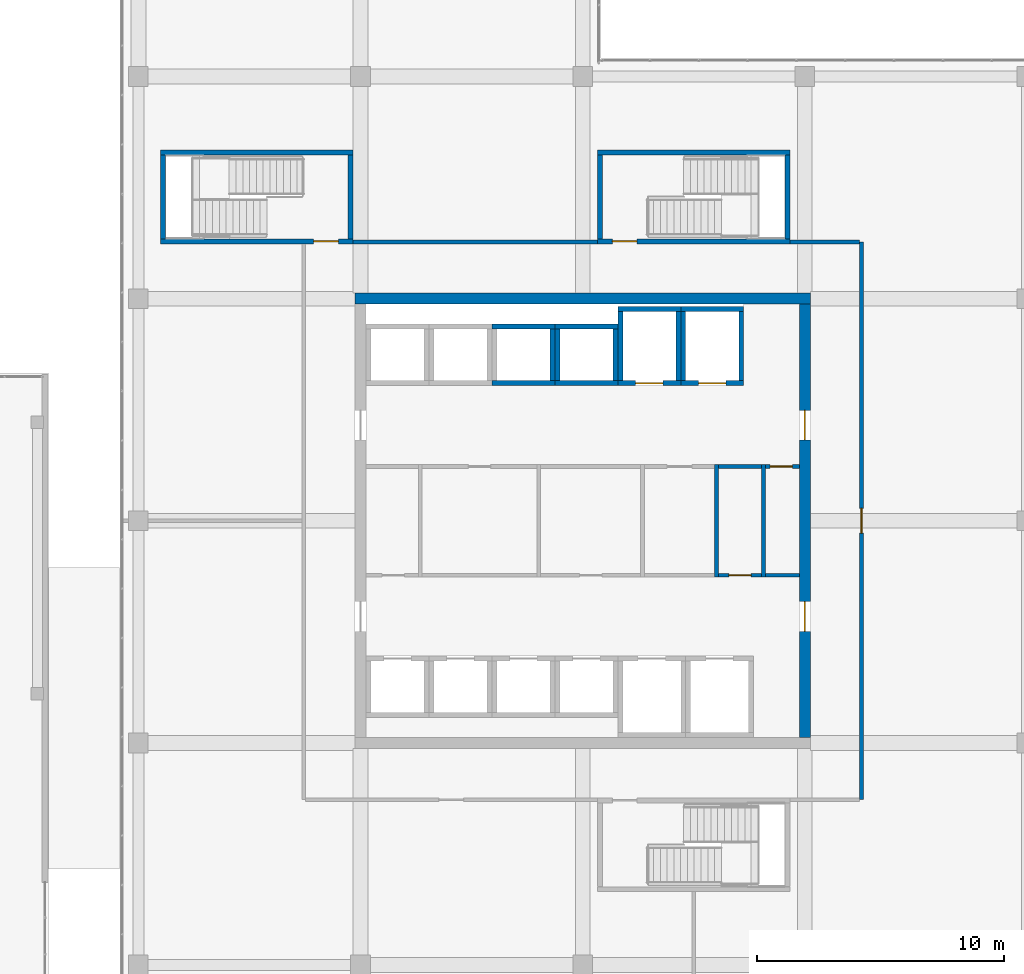
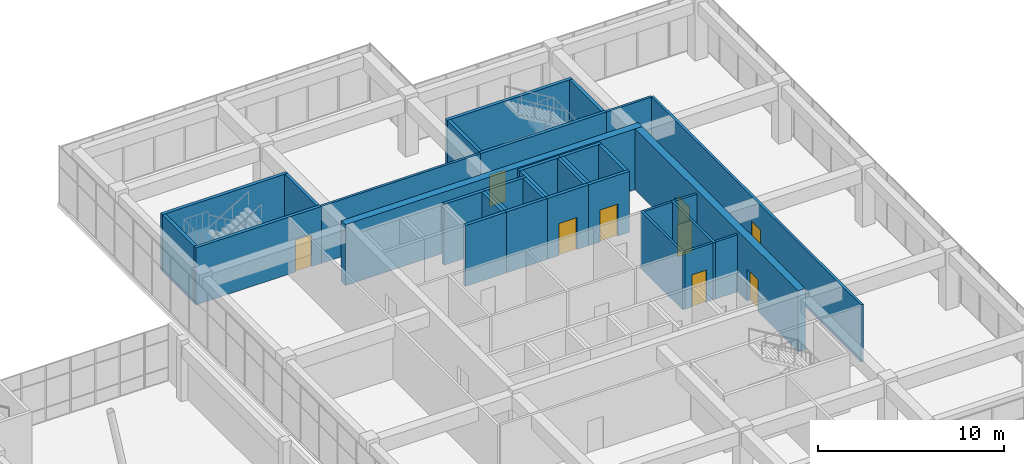
# One storey, part 57 of 66: 34 walls, 9 doors, 9 openings.
"""IFC4 building model written with IfcOpenShell, lengths in metres."""

from ifc_helpers import new_model, si_unit, direction, frame, frame_2d, origin, place, context, subcontext, project, spatial, rectangle, extrude, material, layer, layer_set, type_object, element, fill, save


model = new_model("IFC4")

# Units and contexts
model_context = context("Model", 3, precision=1e-05, world=origin(), true_north=direction((0.0, 1.0)))
body_context = subcontext(model_context, "Body", "Model", "MODEL_VIEW")
ifc_project = project(units=[si_unit("LENGTHUNIT", "METRE"), si_unit("AREAUNIT", "SQUARE_METRE"), si_unit("VOLUMEUNIT", "CUBIC_METRE"), si_unit("PLANEANGLEUNIT", "RADIAN"), si_unit("MASSUNIT", "GRAM", prefix="KILO")], contexts=[model_context])

# Site, building, storey
site_placement = place(None, origin())
site = spatial("IfcSite", under=ifc_project, at=site_placement, CompositionType="ELEMENT")
building_placement = place(site_placement, origin())
building = spatial("IfcBuilding", under=site, at=building_placement, Name="Tuart Plaza Theatre", CompositionType="ELEMENT")
storey_placement = place(building_placement, frame((0.0, 0.0, 5.5)))
storey = spatial("IfcBuildingStorey", under=building, at=storey_placement, Name="L01", CompositionType="ELEMENT", Elevation=5.5)

# Walls
ifc_material_1 = material(Name="Masonry block", Category="masonry")
ifc_layer_1 = layer(ifc_material_1, 0.14990234375)
ifc_layer_set_1 = layer_set([ifc_layer_1], Name="PARTITION BLK150 MASONRYB FRL -/120/120")
wall_type_1 = type_object("IfcWallType", Name="PARTITION BLK150 MASONRYB FRL -/120/120", PredefinedType="PARTITIONING", material=ifc_layer_set_1)
for number, where, z_axis, x_axis, name in (
    (1, (137.425048828125, 71.72509765625, 0.0), (0.0, 0.0, 1.0), (0.0, 1.0, 0.0), "P591"),
    (2, (139.324951171875, 71.72509765625, 0.0), (0.0, 0.0, 1.0), (0.0, 1.0, 0.0), "P594"),
):
    element("IfcWall", number, at=place(storey_placement, frame(where, z_axis=z_axis, x_axis=x_axis)), inside=storey, type_object=wall_type_1, Name=name, PredefinedType="PARTITIONING", context=body_context, shape_type="SweptSolid", body=[
        extrude(rectangle(XDim=4.5498046875, YDim=0.14990234375, at=frame_2d((2.27490234375, 0.0))), origin(), (0.0, 0.0, 1.0), 3.75),
    ])

# Wall, opening, door
wall_1_placement = place(storey_placement, frame((137.5, 71.800048828125, 0.0), z_axis=(0.0, 0.0, 1.0), x_axis=(1.0, 0.0, 0.0)))
wall_1 = element("IfcWall", 3, at=wall_1_placement, inside=storey, type_object=wall_type_1, Name="P595", PredefinedType="PARTITIONING", context=body_context, shape_type="SweptSolid", body=[
    extrude(rectangle(XDim=1.75, YDim=0.14990234375, at=frame_2d((0.875, 0.0))), origin(), (0.0, 0.0, 1.0), 3.75),
])
opening_1_placement = place(wall_1_placement, frame((0.425048828125, 0.0, 0.0)))
opening_1 = element("IfcOpeningElement", 4, at=opening_1_placement, cuts=wall_1, Name="Opening L01-058", PredefinedType="OPENING", context=body_context, shape_type="SweptSolid", body=[
    extrude(rectangle(XDim=0.89990234375, YDim=2.10009765625, at=frame_2d((0.449951171875, 1.050048828125))), frame((0.0, 0.0849609375, 0.0), z_axis=(0.0, -1.0, 0.0), x_axis=(1.0, 0.0, 0.0)), (0.0, 0.0, 1.0), 0.169921875),
])
ifc_material_2 = material(Name="Steel Grade 300", Category="steel")
door_type_1 = type_object("IfcDoorType", Name="DOOR 900x2100 steel single swing FRL -/120/30", OperationType="SINGLE_SWING_LEFT", PredefinedType="DOOR", material=ifc_material_2)
door_1_placement = place(opening_1_placement, origin())
door_1 = element("IfcDoor", 5, at=door_1_placement, inside=storey, type_object=door_type_1, Name="L01-058", OperationType="SINGLE_SWING_LEFT", OverallHeight=2.10009765625, OverallWidth=0.89990234375, PredefinedType="DOOR", context=body_context, shape_type="SweptSolid", body=[
    extrude(rectangle(XDim=0.89990234375, YDim=2.10009765625, at=frame_2d((0.449951171875, 1.050048828125))), frame((0.0, 0.02490234375, 0.0), z_axis=(0.0, -1.0, 0.0), x_axis=(1.0, 0.0, 0.0)), (0.0, 0.0, 1.0), 0.050048828125),
])
fill(opening_1, door_1)

# Walls
wall_2_placement = place(storey_placement, frame((137.5, 76.199951171875, 0.0), z_axis=(0.0, 0.0, 1.0), x_axis=(1.0, 0.0, 0.0)))
element("IfcWall", 6, at=wall_2_placement, inside=storey, type_object=wall_type_1, Name="P596", PredefinedType="PARTITIONING", context=body_context, shape_type="SweptSolid", body=[
    extrude(rectangle(XDim=1.75, YDim=0.14990234375, at=frame_2d((0.875, 0.0))), origin(), (0.0, 0.0, 1.0), 3.75),
])
wall_3_placement = place(storey_placement, frame((139.39990234375, 71.800048828125, 0.0), z_axis=(0.0, 0.0, 1.0), x_axis=(1.0, 0.0, 0.0)))
element("IfcWall", 7, at=wall_3_placement, inside=storey, type_object=wall_type_1, Name="P597", PredefinedType="PARTITIONING", context=body_context, shape_type="SweptSolid", body=[
    extrude(rectangle(XDim=1.375, YDim=0.14990234375, at=frame_2d((0.6875, 0.0))), origin(), (0.0, 0.0, 1.0), 3.75),
])

# Wall, opening, door
wall_4_placement = place(storey_placement, frame((139.39990234375, 76.199951171875, 0.0), z_axis=(0.0, 0.0, 1.0), x_axis=(1.0, 0.0, 0.0)))
wall_4 = element("IfcWall", 8, at=wall_4_placement, inside=storey, type_object=wall_type_1, Name="P598", PredefinedType="PARTITIONING", context=body_context, shape_type="SweptSolid", body=[
    extrude(rectangle(XDim=1.375, YDim=0.14990234375, at=frame_2d((0.6875, 0.0))), origin(), (0.0, 0.0, 1.0), 3.75),
])
opening_2_placement = place(wall_4_placement, frame((0.199951171875, 0.0, 0.0)))
opening_2 = element("IfcOpeningElement", 9, at=opening_2_placement, cuts=wall_4, Name="Opening L01-059", PredefinedType="OPENING", context=body_context, shape_type="SweptSolid", body=[
    extrude(rectangle(XDim=0.89990234375, YDim=2.10009765625, at=frame_2d((0.449951171875, 1.050048828125))), frame((0.0, 0.0849609375, 0.0), z_axis=(0.0, -1.0, 0.0), x_axis=(1.0, 0.0, 0.0)), (0.0, 0.0, 1.0), 0.169921875),
])
door_2_placement = place(opening_2_placement, frame((0.89990234375, 0.0, 0.0), z_axis=(0.0, 0.0, 1.0), x_axis=(-1.0, 0.0, 0.0)))
door_2 = element("IfcDoor", 10, at=door_2_placement, inside=storey, type_object=door_type_1, Name="L01-059", OperationType="SINGLE_SWING_LEFT", OverallHeight=2.10009765625, OverallWidth=0.89990234375, PredefinedType="DOOR", context=body_context, shape_type="SweptSolid", body=[
    extrude(rectangle(XDim=0.89990234375, YDim=2.10009765625, at=frame_2d((0.449951171875, 1.050048828125))), frame((0.0, 0.02490234375, 0.0), z_axis=(0.0, -1.0, 0.0), x_axis=(1.0, 0.0, 0.0)), (0.0, 0.0, 1.0), 0.050048828125),
])
fill(opening_2, door_2)

# Walls
ifc_material_3 = material(Name="Masonry block", Category="masonry")
ifc_layer_2 = layer(ifc_material_3, 0.14990234375)
ifc_layer_set_2 = layer_set([ifc_layer_2], Name="PARTITION BLK150 MASONRYB FRL 120/-/-")
wall_type_2 = type_object("IfcWallType", Name="PARTITION BLK150 MASONRYB FRL 120/-/-", PredefinedType="PARTITIONING", material=ifc_layer_set_2)
wall_5_placement = place(storey_placement, frame((122.699951171875, 85.300048828125, 0.0), z_axis=(0.0, 0.0, 1.0), x_axis=(1.0, 0.0, 0.0)))
element("IfcWall", 11, at=wall_5_placement, inside=storey, type_object=wall_type_2, Name="P602", PredefinedType="PARTITIONING", context=body_context, shape_type="SweptSolid", body=[
    extrude(rectangle(XDim=9.900146484375, YDim=0.14990234375, at=frame_2d((4.9501953125, 0.0))), origin(), (0.0, 0.0, 1.0), 3.75),
])
wall_6_placement = place(storey_placement, frame((140.39990234375, 85.300048828125, 0.0), z_axis=(0.0, 0.0, 1.0), x_axis=(1.0, 0.0, 0.0)))
element("IfcWall", 12, at=wall_6_placement, inside=storey, type_object=wall_type_2, Name="P603", PredefinedType="PARTITIONING", context=body_context, shape_type="SweptSolid", body=[
    extrude(rectangle(XDim=2.8251953125, YDim=0.14990234375, at=frame_2d((1.41259765625, 0.0))), origin(), (0.0, 0.0, 1.0), 3.75),
])

# Wall, opening, door
wall_7_placement = place(storey_placement, frame((143.300048828125, 85.300048828125, 0.0), z_axis=(0.0, 0.0, 1.0), x_axis=(0.0, -1.0, 0.0)))
wall_7 = element("IfcWall", 13, at=wall_7_placement, inside=storey, type_object=wall_type_2, Name="P604", PredefinedType="PARTITIONING", context=body_context, shape_type="SweptSolid", body=[
    extrude(rectangle(XDim=22.60009765625, YDim=0.14990234375, at=frame_2d((11.300048828125, 0.0))), origin(), (0.0, 0.0, 1.0), 3.75),
])
opening_3_placement = place(wall_7_placement, frame((10.800048828125, 0.0, 0.0)))
opening_3 = element("IfcOpeningElement", 14, at=opening_3_placement, cuts=wall_7, Name="Opening L01-061", PredefinedType="OPENING", context=body_context, shape_type="SweptSolid", body=[
    extrude(rectangle(XDim=1.0, YDim=2.10009765625, at=frame_2d((0.5, 1.050048828125))), frame((0.0, 0.0849609375, 0.0), z_axis=(0.0, -1.0, 0.0), x_axis=(1.0, 0.0, 0.0)), (0.0, 0.0, 1.0), 0.169921875),
])
ifc_material_4 = material(Name="Timber", Category="wood")
door_type_2 = type_object("IfcDoorType", Name="DOOR 1000x2100 timber single swing FRL -/60/30", OperationType="SINGLE_SWING_LEFT", PredefinedType="DOOR", material=ifc_material_4)
door_3_placement = place(opening_3_placement, frame((1.0, 0.0, 0.0), z_axis=(0.0, 0.0, 1.0), x_axis=(-1.0, 0.0, 0.0)))
door_3 = element("IfcDoor", 15, at=door_3_placement, inside=storey, type_object=door_type_2, Name="L01-061", OperationType="SINGLE_SWING_RIGHT", OverallHeight=2.10009765625, OverallWidth=1.0, PredefinedType="DOOR", context=body_context, shape_type="SweptSolid", body=[
    extrude(rectangle(XDim=1.0, YDim=2.10009765625, at=frame_2d((0.5, 1.050048828125))), frame((0.0, 0.02490234375, 0.0), z_axis=(0.0, -1.0, 0.0), x_axis=(1.0, 0.0, 0.0)), (0.0, 0.0, 1.0), 0.050048828125),
])
fill(opening_3, door_3)

# Walls
ifc_material_5 = material(Name="Concrete N40 (40 MPa)", Category="concrete")
ifc_layer_3 = layer(ifc_material_5, 0.199951171875)
ifc_layer_set_3 = layer_set([ifc_layer_3], Name="SHEAR WALL RC200 FRL 120/120/120")
wall_type_3 = type_object("IfcWallType", Name="SHEAR WALL RC200 FRL 120/120/120", PredefinedType="SHEAR", material=ifc_layer_set_3)
wall_8_placement = place(storey_placement, frame((128.324951171875, 79.574951171875, 0.0), z_axis=(0.0, 0.0, 1.0), x_axis=(1.0, 0.0, 0.0)))
element("IfcWall", 16, at=wall_8_placement, inside=storey, type_object=wall_type_3, Name="W874", PredefinedType="SHEAR", context=body_context, shape_type="SweptSolid", body=[
    extrude(rectangle(XDim=2.550048828125, YDim=0.199951171875, at=frame_2d((1.27490234375, 0.0))), origin(), (0.0, 0.0, 1.0), 4.0),
])
wall_9_placement = place(storey_placement, frame((130.77490234375, 79.675048828125, 0.0), z_axis=(0.0, 0.0, 1.0), x_axis=(0.0, 1.0, 0.0)))
element("IfcWall", 17, at=wall_9_placement, inside=storey, type_object=wall_type_3, Name="W875", PredefinedType="SHEAR", context=body_context, shape_type="SweptSolid", body=[
    extrude(rectangle(XDim=2.099853515625, YDim=0.199951171875, at=frame_2d((1.0498046875, 0.0))), origin(), (0.0, 0.0, 1.0), 4.0),
])
for number, where, z_axis, x_axis, name in (
    (18, (130.875, 81.875, 0.0), (0.0, 0.0, 1.0), (-1.0, 0.0, 0.0), "W876"),
    (19, (130.875, 79.574951171875, 0.0), (0.0, 0.0, 1.0), (1.0, 0.0, 0.0), "W946"),
):
    element("IfcWall", number, at=place(storey_placement, frame(where, z_axis=z_axis, x_axis=x_axis)), inside=storey, type_object=wall_type_3, Name=name, PredefinedType="SHEAR", context=body_context, shape_type="SweptSolid", body=[
        extrude(rectangle(XDim=2.550048828125, YDim=0.199951171875, at=frame_2d((1.27490234375, 0.0))), origin(), (0.0, 0.0, 1.0), 4.0),
    ])
wall_10_placement = place(storey_placement, frame((133.324951171875, 79.675048828125, 0.0), z_axis=(0.0, 0.0, 1.0), x_axis=(0.0, 1.0, 0.0)))
element("IfcWall", 20, at=wall_10_placement, inside=storey, type_object=wall_type_3, Name="W947", PredefinedType="SHEAR", context=body_context, shape_type="SweptSolid", body=[
    extrude(rectangle(XDim=2.099853515625, YDim=0.199951171875, at=frame_2d((1.0498046875, 0.0))), origin(), (0.0, 0.0, 1.0), 4.0),
])
wall_11_placement = place(storey_placement, frame((133.425048828125, 81.875, 0.0), z_axis=(0.0, 0.0, 1.0), x_axis=(-1.0, 0.0, 0.0)))
element("IfcWall", 21, at=wall_11_placement, inside=storey, type_object=wall_type_3, Name="W948", PredefinedType="SHEAR", context=body_context, shape_type="SweptSolid", body=[
    extrude(rectangle(XDim=2.550048828125, YDim=0.199951171875, at=frame_2d((1.27490234375, 0.0))), origin(), (0.0, 0.0, 1.0), 4.0),
])
wall_12_placement = place(storey_placement, frame((130.97509765625, 81.77490234375, 0.0), z_axis=(0.0, 0.0, 1.0), x_axis=(0.0, -1.0, 0.0)))
element("IfcWall", 22, at=wall_12_placement, inside=storey, type_object=wall_type_3, Name="W949", PredefinedType="SHEAR", context=body_context, shape_type="SweptSolid", body=[
    extrude(rectangle(XDim=2.099853515625, YDim=0.199951171875, at=frame_2d((1.0498046875, 0.0))), origin(), (0.0, 0.0, 1.0), 4.0),
])

# Wall, opening, door
wall_13_placement = place(storey_placement, frame((133.425048828125, 79.574951171875, 0.0), z_axis=(0.0, 0.0, 1.0), x_axis=(1.0, 0.0, 0.0)))
wall_13 = element("IfcWall", 23, at=wall_13_placement, inside=storey, type_object=wall_type_3, Name="W1170", PredefinedType="SHEAR", context=body_context, shape_type="SweptSolid", body=[
    extrude(rectangle(XDim=2.550048828125, YDim=0.199951171875, at=frame_2d((1.27490234375, 0.0))), origin(), (0.0, 0.0, 1.0), 4.0),
])
opening_4_placement = place(wall_13_placement, frame((0.72509765625, 0.0, 0.0)))
opening_4 = element("IfcOpeningElement", 24, at=opening_4_placement, cuts=wall_13, Name="Opening L01-045", PredefinedType="OPENING", context=body_context, shape_type="SweptSolid", body=[
    extrude(rectangle(XDim=1.10009765625, YDim=2.10009765625, at=frame_2d((0.550048828125, 1.050048828125))), frame((0.0, 0.10986328125, 0.0), z_axis=(0.0, -1.0, 0.0), x_axis=(1.0, 0.0, 0.0)), (0.0, 0.0, 1.0), 0.219970703125),
])
ifc_material_6 = material(Name="Steel Grade 300", Category="steel")
door_type_3 = type_object("IfcDoorType", Name="LANDING DOOR 1100x2100 steel sliding FRL -/120/30", OperationType="SLIDING_TO_LEFT", PredefinedType="DOOR", material=ifc_material_6)
door_4_placement = place(opening_4_placement, origin())
door_4 = element("IfcDoor", 25, at=door_4_placement, inside=storey, type_object=door_type_3, Name="L01-045", OperationType="SLIDING_TO_LEFT", OverallHeight=2.10009765625, OverallWidth=1.10009765625, PredefinedType="DOOR", context=body_context, shape_type="SweptSolid", body=[
    extrude(rectangle(XDim=1.10009765625, YDim=2.10009765625, at=frame_2d((0.550048828125, 1.050048828125))), frame((0.0, 0.02490234375, 0.0), z_axis=(0.0, -1.0, 0.0), x_axis=(1.0, 0.0, 0.0)), (0.0, 0.0, 1.0), 0.050048828125),
])
fill(opening_4, door_4)

# Walls
wall_14_placement = place(storey_placement, frame((135.875, 79.675048828125, 0.0), z_axis=(0.0, 0.0, 1.0), x_axis=(0.0, 1.0, 0.0)))
element("IfcWall", 26, at=wall_14_placement, inside=storey, type_object=wall_type_3, Name="W1171", PredefinedType="SHEAR", context=body_context, shape_type="SweptSolid", body=[
    extrude(rectangle(XDim=2.800048828125, YDim=0.199951171875, at=frame_2d((1.39990234375, 0.0))), origin(), (0.0, 0.0, 1.0), 4.0),
])
wall_15_placement = place(storey_placement, frame((135.97509765625, 82.574951171875, 0.0), z_axis=(0.0, 0.0, 1.0), x_axis=(-1.0, 0.0, 0.0)))
element("IfcWall", 27, at=wall_15_placement, inside=storey, type_object=wall_type_3, Name="W1172", PredefinedType="SHEAR", context=body_context, shape_type="SweptSolid", body=[
    extrude(rectangle(XDim=2.550048828125, YDim=0.199951171875, at=frame_2d((1.27490234375, 0.0))), origin(), (0.0, 0.0, 1.0), 4.0),
])
wall_16_placement = place(storey_placement, frame((133.52490234375, 82.47509765625, 0.0), z_axis=(0.0, 0.0, 1.0), x_axis=(0.0, -1.0, 0.0)))
element("IfcWall", 28, at=wall_16_placement, inside=storey, type_object=wall_type_3, Name="W1173", PredefinedType="SHEAR", context=body_context, shape_type="SweptSolid", body=[
    extrude(rectangle(XDim=2.800048828125, YDim=0.199951171875, at=frame_2d((1.39990234375, 0.0))), origin(), (0.0, 0.0, 1.0), 4.0),
])

# Wall, opening, door
wall_17_placement = place(storey_placement, frame((135.97509765625, 79.574951171875, 0.0), z_axis=(0.0, 0.0, 1.0), x_axis=(1.0, 0.0, 0.0)))
wall_17 = element("IfcWall", 29, at=wall_17_placement, inside=storey, type_object=wall_type_3, Name="W1246", PredefinedType="SHEAR", context=body_context, shape_type="SweptSolid", body=[
    extrude(rectangle(XDim=2.5498046875, YDim=0.199951171875, at=frame_2d((1.27490234375, 0.0))), origin(), (0.0, 0.0, 1.0), 4.0),
])
opening_5_placement = place(wall_17_placement, frame((0.72509765625, 0.0, 0.0)))
opening_5 = element("IfcOpeningElement", 30, at=opening_5_placement, cuts=wall_17, Name="Opening L01-046", PredefinedType="OPENING", context=body_context, shape_type="SweptSolid", body=[
    extrude(rectangle(XDim=1.10009765625, YDim=2.10009765625, at=frame_2d((0.550048828125, 1.050048828125))), frame((0.0, 0.10986328125, 0.0), z_axis=(0.0, -1.0, 0.0), x_axis=(1.0, 0.0, 0.0)), (0.0, 0.0, 1.0), 0.219970703125),
])
door_5_placement = place(opening_5_placement, origin())
door_5 = element("IfcDoor", 31, at=door_5_placement, inside=storey, type_object=door_type_3, Name="L01-046", OperationType="SLIDING_TO_LEFT", OverallHeight=2.10009765625, OverallWidth=1.10009765625, PredefinedType="DOOR", context=body_context, shape_type="SweptSolid", body=[
    extrude(rectangle(XDim=1.10009765625, YDim=2.10009765625, at=frame_2d((0.550048828125, 1.050048828125))), frame((0.0, 0.02490234375, 0.0), z_axis=(0.0, -1.0, 0.0), x_axis=(1.0, 0.0, 0.0)), (0.0, 0.0, 1.0), 0.050048828125),
])
fill(opening_5, door_5)

# Walls
wall_18_placement = place(storey_placement, frame((138.425048828125, 79.675048828125, 0.0), z_axis=(0.0, 0.0, 1.0), x_axis=(0.0, 1.0, 0.0)))
element("IfcWall", 32, at=wall_18_placement, inside=storey, type_object=wall_type_3, Name="W1247", PredefinedType="SHEAR", context=body_context, shape_type="SweptSolid", body=[
    extrude(rectangle(XDim=2.800048828125, YDim=0.199951171875, at=frame_2d((1.39990234375, 0.0))), origin(), (0.0, 0.0, 1.0), 4.0),
])
wall_19_placement = place(storey_placement, frame((138.52490234375, 82.574951171875, 0.0), z_axis=(0.0, 0.0, 1.0), x_axis=(-1.0, 0.0, 0.0)))
element("IfcWall", 33, at=wall_19_placement, inside=storey, type_object=wall_type_3, Name="W1248", PredefinedType="SHEAR", context=body_context, shape_type="SweptSolid", body=[
    extrude(rectangle(XDim=2.5498046875, YDim=0.199951171875, at=frame_2d((1.27490234375, 0.0))), origin(), (0.0, 0.0, 1.0), 4.0),
])
wall_20_placement = place(storey_placement, frame((136.074951171875, 82.47509765625, 0.0), z_axis=(0.0, 0.0, 1.0), x_axis=(0.0, -1.0, 0.0)))
element("IfcWall", 34, at=wall_20_placement, inside=storey, type_object=wall_type_3, Name="W1249", PredefinedType="SHEAR", context=body_context, shape_type="SweptSolid", body=[
    extrude(rectangle(XDim=2.800048828125, YDim=0.199951171875, at=frame_2d((1.39990234375, 0.0))), origin(), (0.0, 0.0, 1.0), 4.0),
])

# Wall, opening, door
wall_21_placement = place(storey_placement, frame((132.60009765625, 85.324951171875, 0.0), z_axis=(0.0, 0.0, 1.0), x_axis=(1.0, 0.0, 0.0)))
wall_21 = element("IfcWall", 35, at=wall_21_placement, inside=storey, type_object=wall_type_3, Name="P424", PredefinedType="SHEAR", context=body_context, shape_type="SweptSolid", body=[
    extrude(rectangle(XDim=7.7998046875, YDim=0.199951171875, at=frame_2d((3.89990234375, 0.0))), origin(), (0.0, 0.0, 1.0), 3.75),
])
opening_6_placement = place(wall_21_placement, frame((0.60009765625, 0.0, 0.0)))
opening_6 = element("IfcOpeningElement", 36, at=opening_6_placement, cuts=wall_21, Name="Opening L01-048", PredefinedType="OPENING", context=body_context, shape_type="SweptSolid", body=[
    extrude(rectangle(XDim=1.0, YDim=2.10009765625, at=frame_2d((0.5, 1.050048828125))), frame((0.0, 0.10986328125, 0.0), z_axis=(0.0, -1.0, 0.0), x_axis=(1.0, 0.0, 0.0)), (0.0, 0.0, 1.0), 0.219970703125),
])
ifc_material_7 = material(Name="Steel Grade 300", Category="steel")
door_type_4 = type_object("IfcDoorType", Name="DOOR 1000x2100 steel single swing FRL -/120/30", OperationType="SINGLE_SWING_LEFT", PredefinedType="DOOR", material=ifc_material_7)
door_6_placement = place(opening_6_placement, origin())
door_6 = element("IfcDoor", 37, at=door_6_placement, inside=storey, type_object=door_type_4, Name="L01-048", OperationType="SINGLE_SWING_RIGHT", OverallHeight=2.10009765625, OverallWidth=1.0, PredefinedType="DOOR", context=body_context, shape_type="SweptSolid", body=[
    extrude(rectangle(XDim=1.0, YDim=2.10009765625, at=frame_2d((0.5, 1.050048828125))), frame((0.0, 0.02490234375, 0.0), z_axis=(0.0, -1.0, 0.0), x_axis=(1.0, 0.0, 0.0)), (0.0, 0.0, 1.0), 0.050048828125),
])
fill(opening_6, door_6)

# Walls
wall_22_placement = place(storey_placement, frame((140.300048828125, 85.425048828125, 0.0), z_axis=(0.0, 0.0, 1.0), x_axis=(0.0, 1.0, 0.0)))
element("IfcWall", 38, at=wall_22_placement, inside=storey, type_object=wall_type_3, Name="P425", PredefinedType="SHEAR", context=body_context, shape_type="SweptSolid", body=[
    extrude(rectangle(XDim=3.39990234375, YDim=0.199951171875, at=frame_2d((1.699951171875, 0.0))), origin(), (0.0, 0.0, 1.0), 3.75),
])
wall_23_placement = place(storey_placement, frame((140.39990234375, 88.925048828125, 0.0), z_axis=(0.0, 0.0, 1.0), x_axis=(-1.0, 0.0, 0.0)))
element("IfcWall", 39, at=wall_23_placement, inside=storey, type_object=wall_type_3, Name="P426", PredefinedType="SHEAR", context=body_context, shape_type="SweptSolid", body=[
    extrude(rectangle(XDim=7.7998046875, YDim=0.199951171875, at=frame_2d((3.89990234375, 0.0))), origin(), (0.0, 0.0, 1.0), 3.75),
])
wall_24_placement = place(storey_placement, frame((132.699951171875, 88.824951171875, 0.0), z_axis=(0.0, 0.0, 1.0), x_axis=(0.0, -1.0, 0.0)))
element("IfcWall", 40, at=wall_24_placement, inside=storey, type_object=wall_type_3, Name="P427", PredefinedType="SHEAR", context=body_context, shape_type="SweptSolid", body=[
    extrude(rectangle(XDim=3.39990234375, YDim=0.199951171875, at=frame_2d((1.699951171875, 0.0))), origin(), (0.0, 0.0, 1.0), 3.75),
])

# Wall, opening, door
wall_25_placement = place(storey_placement, frame((114.89990234375, 85.324951171875, 0.0), z_axis=(0.0, 0.0, 1.0), x_axis=(1.0, 0.0, 0.0)))
wall_25 = element("IfcWall", 41, at=wall_25_placement, inside=storey, type_object=wall_type_3, Name="P452", PredefinedType="SHEAR", context=body_context, shape_type="SweptSolid", body=[
    extrude(rectangle(XDim=7.800048828125, YDim=0.199951171875, at=frame_2d((3.89990234375, 0.0))), origin(), (0.0, 0.0, 1.0), 3.75),
])
opening_7_placement = place(wall_25_placement, frame((6.199951171875, 0.0, 0.0)))
opening_7 = element("IfcOpeningElement", 42, at=opening_7_placement, cuts=wall_25, Name="Opening L01-049", PredefinedType="OPENING", context=body_context, shape_type="SweptSolid", body=[
    extrude(rectangle(XDim=1.0, YDim=2.10009765625, at=frame_2d((0.5, 1.050048828125))), frame((0.0, 0.10986328125, 0.0), z_axis=(0.0, -1.0, 0.0), x_axis=(1.0, 0.0, 0.0)), (0.0, 0.0, 1.0), 0.219970703125),
])
door_7_placement = place(opening_7_placement, origin())
door_7 = element("IfcDoor", 43, at=door_7_placement, inside=storey, type_object=door_type_4, Name="L01-049", OperationType="SINGLE_SWING_LEFT", OverallHeight=2.10009765625, OverallWidth=1.0, PredefinedType="DOOR", context=body_context, shape_type="SweptSolid", body=[
    extrude(rectangle(XDim=1.0, YDim=2.10009765625, at=frame_2d((0.5, 1.050048828125))), frame((0.0, 0.02490234375, 0.0), z_axis=(0.0, -1.0, 0.0), x_axis=(1.0, 0.0, 0.0)), (0.0, 0.0, 1.0), 0.050048828125),
])
fill(opening_7, door_7)

# Walls
wall_26_placement = place(storey_placement, frame((122.60009765625, 85.425048828125, 0.0), z_axis=(0.0, 0.0, 1.0), x_axis=(0.0, 1.0, 0.0)))
element("IfcWall", 44, at=wall_26_placement, inside=storey, type_object=wall_type_3, Name="P453", PredefinedType="SHEAR", context=body_context, shape_type="SweptSolid", body=[
    extrude(rectangle(XDim=3.39990234375, YDim=0.199951171875, at=frame_2d((1.699951171875, 0.0))), origin(), (0.0, 0.0, 1.0), 3.75),
])
wall_27_placement = place(storey_placement, frame((122.699951171875, 88.925048828125, 0.0), z_axis=(0.0, 0.0, 1.0), x_axis=(-1.0, 0.0, 0.0)))
element("IfcWall", 45, at=wall_27_placement, inside=storey, type_object=wall_type_3, Name="P454", PredefinedType="SHEAR", context=body_context, shape_type="SweptSolid", body=[
    extrude(rectangle(XDim=7.800048828125, YDim=0.199951171875, at=frame_2d((3.89990234375, 0.0))), origin(), (0.0, 0.0, 1.0), 3.75),
])
wall_28_placement = place(storey_placement, frame((115.0, 88.824951171875, 0.0), z_axis=(0.0, 0.0, 1.0), x_axis=(0.0, -1.0, 0.0)))
element("IfcWall", 46, at=wall_28_placement, inside=storey, type_object=wall_type_3, Name="P455", PredefinedType="SHEAR", context=body_context, shape_type="SweptSolid", body=[
    extrude(rectangle(XDim=3.39990234375, YDim=0.199951171875, at=frame_2d((1.699951171875, 0.0))), origin(), (0.0, 0.0, 1.0), 3.75),
])

# Wall, openings, doors
ifc_material_8 = material(Name="Concrete N50 (50 MPa)", Category="concrete")
ifc_layer_4 = layer(ifc_material_8, 0.449951171875)
ifc_layer_set_4 = layer_set([ifc_layer_4], Name="SHEAR WALL RC450 N50 FRL 120/120/120")
wall_type_4 = type_object("IfcWallType", Name="SHEAR WALL RC450 N50 FRL 120/120/120", PredefinedType="SHEAR", material=ifc_layer_set_4)
wall_29_placement = place(storey_placement, frame((141.0, 65.22509765625, 0.0), z_axis=(0.0, 0.0, 1.0), x_axis=(0.0, 1.0, 0.0)))
wall_29 = element("IfcWall", 47, at=wall_29_placement, inside=storey, type_object=wall_type_4, Name="W364", PredefinedType="SHEAR", context=body_context, shape_type="SweptSolid", body=[
    extrude(rectangle(XDim=17.5498046875, YDim=0.449951171875, at=frame_2d((8.77490234375, 0.0))), origin(), (0.0, 0.0, 1.0), 4.0),
])
opening_8_placement = place(wall_29_placement, frame((4.300048828125, 0.0, 0.0)))
opening_8 = element("IfcOpeningElement", 48, at=opening_8_placement, cuts=wall_29, Name="Opening L01-051", PredefinedType="OPENING", context=body_context, shape_type="SweptSolid", body=[
    extrude(rectangle(XDim=1.199951171875, YDim=2.10009765625, at=frame_2d((0.60009765625, 1.050048828125))), frame((0.0, 0.23486328125, 0.0), z_axis=(0.0, -1.0, 0.0), x_axis=(1.0, 0.0, 0.0)), (0.0, 0.0, 1.0), 0.469970703125),
])
opening_9_placement = place(wall_29_placement, frame((12.050048828125, 0.0, 0.0)))
opening_9 = element("IfcOpeningElement", 49, at=opening_9_placement, cuts=wall_29, Name="Opening L01-053", PredefinedType="OPENING", context=body_context, shape_type="SweptSolid", body=[
    extrude(rectangle(XDim=1.199951171875, YDim=2.10009765625, at=frame_2d((0.60009765625, 1.050048828125))), frame((0.0, 0.23486328125, 0.0), z_axis=(0.0, -1.0, 0.0), x_axis=(1.0, 0.0, 0.0)), (0.0, 0.0, 1.0), 0.469970703125),
])
ifc_material_9 = material(Name="Steel Grade 300", Category="steel")
door_type_5 = type_object("IfcDoorType", Name="DOOR 1200x2100 steel single swing FRL -/120/30", OperationType="SINGLE_SWING_LEFT", PredefinedType="DOOR", material=ifc_material_9)
door_8_placement = place(opening_8_placement, frame((1.199951171875, 0.0, 0.0), z_axis=(0.0, 0.0, 1.0), x_axis=(-1.0, 0.0, 0.0)))
door_8 = element("IfcDoor", 50, at=door_8_placement, inside=storey, type_object=door_type_5, Name="L01-051", OperationType="SINGLE_SWING_LEFT", OverallHeight=2.10009765625, OverallWidth=1.199951171875, PredefinedType="DOOR", context=body_context, shape_type="SweptSolid", body=[
    extrude(rectangle(XDim=1.199951171875, YDim=2.10009765625, at=frame_2d((0.60009765625, 1.050048828125))), frame((0.0, 0.02490234375, 0.0), z_axis=(0.0, -1.0, 0.0), x_axis=(1.0, 0.0, 0.0)), (0.0, 0.0, 1.0), 0.050048828125),
])
fill(opening_8, door_8)
door_9_placement = place(opening_9_placement, frame((1.199951171875, 0.0, 0.0), z_axis=(0.0, 0.0, 1.0), x_axis=(-1.0, 0.0, 0.0)))
door_9 = element("IfcDoor", 51, at=door_9_placement, inside=storey, type_object=door_type_5, Name="L01-053", OperationType="SINGLE_SWING_RIGHT", OverallHeight=2.10009765625, OverallWidth=1.199951171875, PredefinedType="DOOR", context=body_context, shape_type="SweptSolid", body=[
    extrude(rectangle(XDim=1.199951171875, YDim=2.10009765625, at=frame_2d((0.60009765625, 1.050048828125))), frame((0.0, 0.02490234375, 0.0), z_axis=(0.0, -1.0, 0.0), x_axis=(1.0, 0.0, 0.0)), (0.0, 0.0, 1.0), 0.050048828125),
])
fill(opening_9, door_9)

# Wall
wall_30_placement = place(storey_placement, frame((141.22509765625, 83.0, 0.0), z_axis=(0.0, 0.0, 1.0), x_axis=(-1.0, 0.0, 0.0)))
element("IfcWall", 52, at=wall_30_placement, inside=storey, type_object=wall_type_4, Name="W365", PredefinedType="SHEAR", context=body_context, shape_type="SweptSolid", body=[
    extrude(rectangle(XDim=18.4501953125, YDim=0.449951171875, at=frame_2d((9.22509765625, 0.0))), origin(), (0.0, 0.0, 1.0), 4.0),
])

save(model, "model.ifc")
